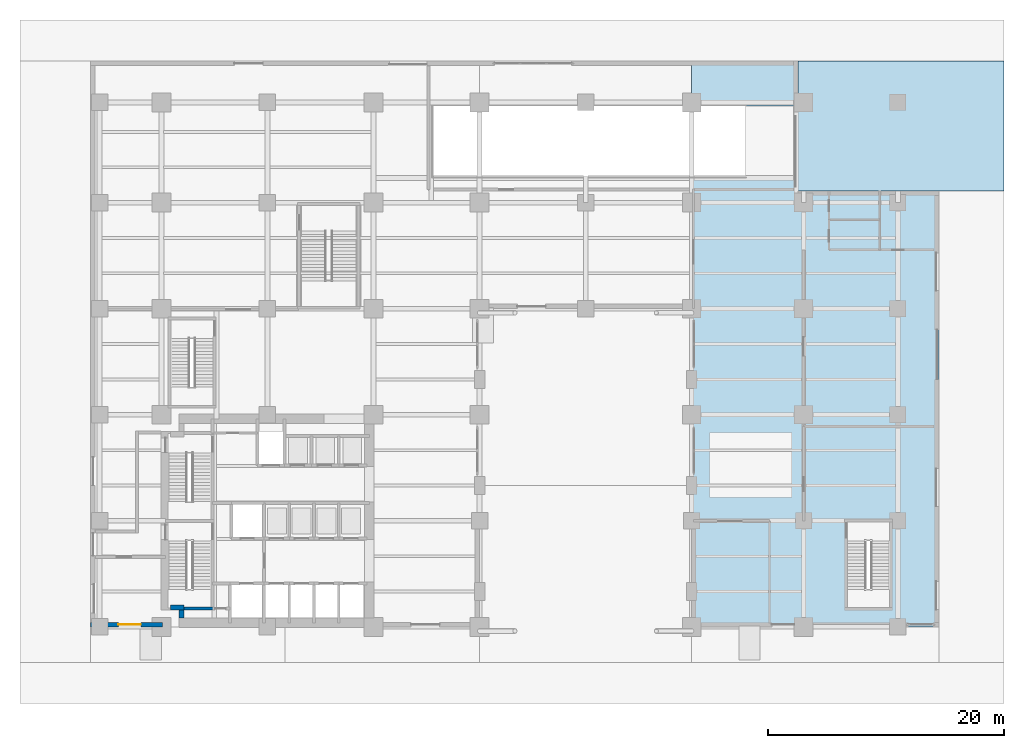
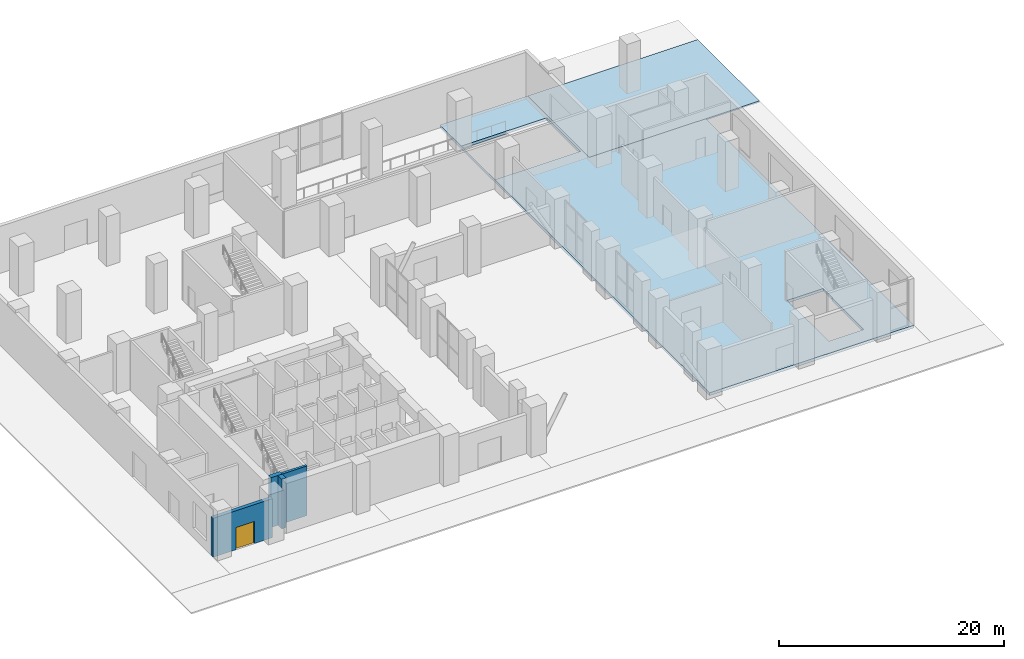
# One storey, part 10 of 17: 4 walls, 2 slabs, 1 door, 1 opening.
"""IFC4 building model written with IfcOpenShell, lengths in metres."""

from ifc_helpers import new_model, si_unit, direction, frame, frame_2d, origin, place, context, subcontext, project, spatial, polyline, rectangle, outline, extrude, material, layer, layer_set, type_object, element, fill, save


model = new_model("IFC4")

# Units and contexts
model_context = context("Model", 3, precision=1e-05, world=origin(), true_north=direction((0.0, 1.0)))
body_context = subcontext(model_context, "Body", "Model", "MODEL_VIEW")
ifc_project = project(units=[si_unit("LENGTHUNIT", "METRE"), si_unit("AREAUNIT", "SQUARE_METRE"), si_unit("VOLUMEUNIT", "CUBIC_METRE"), si_unit("PLANEANGLEUNIT", "RADIAN"), si_unit("MASSUNIT", "GRAM", prefix="KILO")], contexts=[model_context])

# Site, building, storey
site_placement = place(None, origin())
site = spatial("IfcSite", under=ifc_project, at=site_placement, CompositionType="ELEMENT")
building_placement = place(site_placement, origin())
building = spatial("IfcBuilding", under=site, at=building_placement, Name="Mawjdan Bourse Tower", CompositionType="ELEMENT")
storey_placement = place(building_placement, origin())
storey = spatial("IfcBuildingStorey", under=building, at=storey_placement, Name="L00", CompositionType="ELEMENT", Elevation=0.0)

# Slabs
ifc_material_1 = material(Name="Granite Stone Paving", Category="masonry")
ifc_layer_1 = layer(ifc_material_1, 0.14990234375)
ifc_layer_set_1 = layer_set([ifc_layer_1], Name="Granite Stone Paving")
slab_type_1 = type_object("IfcSlabType", Name="SL-PAV-150", PredefinedType="USERDEFINED", material=ifc_layer_set_1)
slab_1_placement = place(storey_placement, frame((0.0, 0.0, -0.14990234375)))
element("IfcSlab", 1, at=slab_1_placement, inside=storey, type_object=slab_type_1, Name="East Vehicle Ramp Driveway Apron Paving", ObjectType="PAVING", PredefinedType="USERDEFINED", context=body_context, shape_type="SweptSolid", body=[
    extrude(outline(polyline([(60.0, 40.0), (77.5, 40.0), (77.5, 51.0), (60.0, 51.0), (60.0, 40.0)])), origin(), (0.0, 0.0, 1.0), 0.14990234375),
])
ifc_material_2 = material(Name="Concrete C50/60", Category="concrete")
ifc_layer_2 = layer(ifc_material_2, 0.300048828125)
ifc_layer_set_2 = layer_set([ifc_layer_2], Name="Concrete C50/60")
slab_type_2 = type_object("IfcSlabType", Name="SL-POD-300", PredefinedType="FLOOR", material=ifc_layer_set_2)
slab_2_placement = place(storey_placement, frame((0.0, 0.0, -0.300048828125)))
element("IfcSlab", 2, at=slab_2_placement, inside=storey, type_object=slab_type_2, Name="L00 Structural Floor Slab 2", PredefinedType="FLOOR", context=body_context, shape_type="SweptSolid", body=[
    extrude(outline(polyline([(51.0, 3.0), (72.0, 3.0), (72.0, 40.0), (60.0, 40.0), (60.0, 51.0), (51.0, 51.0), (51.0, 3.0)]), holes=[polyline([(64.199951171875, 10.31005859375), (64.139892578125, 10.31005859375), (64.139892578125, 11.969970703125), (67.860107421875, 11.969970703125), (67.860107421875, 10.31005859375), (67.800048828125, 10.31005859375), (67.800048828125, 4.64990234375), (64.199951171875, 4.64990234375), (64.199951171875, 10.31005859375)]), polyline([(51.02001953125, 41.199951171875), (51.02001953125, 47.199951171875), (59.800048828125, 47.199951171875), (59.800048828125, 41.199951171875), (51.02001953125, 41.199951171875)])]), origin(), (0.0, 0.0, 1.0), 0.300048828125),
])

# Wall, opening, door
ifc_material_3 = material(Name="Brick Masonry Terracotta Red", Category="masonry")
ifc_layer_3 = layer(ifc_material_3, 0.3798828125)
ifc_layer_set_3 = layer_set([ifc_layer_3], Name="Brick Masonry Terracotta Red")
wall_type_1 = type_object("IfcWallType", Name="WL-BRK-RED-380", PredefinedType="STANDARD", material=ifc_layer_set_3)
wall_1_placement = place(storey_placement, frame((0.0, 3.18994140625, 0.0), z_axis=(0.0, 0.0, 1.0), x_axis=(1.0, 0.0, 0.0)))
wall_1 = element("IfcWall", 3, at=wall_1_placement, inside=storey, type_object=wall_type_1, Name="L00 Podium Brick Wall SW-1", PredefinedType="STANDARD", context=body_context, shape_type="SweptSolid", body=[
    extrude(rectangle(XDim=6.10009765625, YDim=0.3798828125, at=frame_2d((3.050048828125, 0.0))), origin(), (0.0, 0.0, 1.0), 4.23388671875),
])
opening_placement = place(wall_1_placement, frame((2.35009765625, 0.0, 0.0)))
opening = element("IfcOpeningElement", 4, at=opening_placement, cuts=wall_1, Name="Opening ED-L00-01", PredefinedType="OPENING", context=body_context, shape_type="SweptSolid", body=[
    extrude(rectangle(XDim=1.89990234375, YDim=2.39990234375, at=frame_2d((0.949951171875, 1.199951171875))), frame((0.0, 0.199951171875, 0.0), z_axis=(0.0, -1.0, 0.0), x_axis=(1.0, 0.0, 0.0)), (0.0, 0.0, 1.0), 0.39990234375),
])
ifc_material_4 = material(Name="Painted Galvanised Steel", Category="steel")
door_type = type_object("IfcDoorType", Name="DR-EXT-1900", OperationType="DOUBLE_DOOR_SINGLE_SWING", PredefinedType="DOOR", material=ifc_material_4)
door_placement = place(opening_placement, frame((1.89990234375, 0.0, 0.0), z_axis=(0.0, 0.0, 1.0), x_axis=(-1.0, 0.0, 0.0)))
door = element("IfcDoor", 5, at=door_placement, inside=storey, type_object=door_type, Name="L00 Fire Command Direct Discharge Door", OperationType="DOUBLE_DOOR_SINGLE_SWING", OverallHeight=2.39990234375, OverallWidth=1.89990234375, PredefinedType="DOOR", context=body_context, shape_type="SweptSolid", body=[
    extrude(rectangle(XDim=1.89990234375, YDim=2.39990234375, at=frame_2d((0.949951171875, 1.199951171875))), frame((0.0, 0.02490234375, 0.0), z_axis=(0.0, -1.0, 0.0), x_axis=(1.0, 0.0, 0.0)), (0.0, 0.0, 1.0), 0.050048828125),
])
fill(opening, door)

# Walls
ifc_material_5 = material(Name="Concrete C60/75", Category="concrete")
ifc_layer_4 = layer(ifc_material_5, 0.449951171875)
ifc_layer_set_4 = layer_set([ifc_layer_4], Name="Concrete C60/75")
wall_type_2 = type_object("IfcWallType", Name="WL-CORE-450", PredefinedType="SHEAR", material=ifc_layer_set_4)
wall_2_placement = place(storey_placement, frame((6.75, 4.64990234375, 0.0), z_axis=(0.0, 0.0, 1.0), x_axis=(1.0, 0.0, 0.0)))
element("IfcWall", 6, at=wall_2_placement, inside=storey, type_object=wall_type_2, Name="L00 Rear Core Shear Wall SW-X", PredefinedType="SHEAR", context=body_context, shape_type="SweptSolid", body=[
    extrude(rectangle(XDim=1.175048828125, YDim=0.449951171875, at=frame_2d((0.58740234375, 0.0))), origin(), (0.0, 0.0, 1.0), 5.39990234375),
])
wall_3_placement = place(storey_placement, frame((7.699951171875, 3.75, 0.0), z_axis=(0.0, 0.0, 1.0), x_axis=(0.0, 1.0, 0.0)))
element("IfcWall", 7, at=wall_3_placement, inside=storey, type_object=wall_type_2, Name="L00 Rear Core Shear Wall SW-Y", PredefinedType="SHEAR", context=body_context, shape_type="SweptSolid", body=[
    extrude(rectangle(XDim=0.675048828125, YDim=0.449951171875, at=frame_2d((0.33740234375, 0.0))), origin(), (0.0, 0.0, 1.0), 5.39990234375),
])
ifc_layer_5 = layer(ifc_material_2, 0.25)
ifc_layer_set_5 = layer_set([ifc_layer_5], Name="Concrete C50/60")
wall_type_3 = type_object("IfcWallType", Name="WL-STRW-250", PredefinedType="SHEAR", material=ifc_layer_set_5)
wall_4_placement = place(storey_placement, frame((7.699951171875, 4.550048828125, 0.0), z_axis=(0.0, 0.0, 1.0), x_axis=(1.0, 0.0, 0.0)))
element("IfcWall", 8, at=wall_4_placement, inside=storey, type_object=wall_type_3, Name="L00 Stairwell ST1 South Shaft Wall", PredefinedType="SHEAR", context=body_context, shape_type="SweptSolid", body=[
    extrude(rectangle(XDim=2.755126953125, YDim=0.25, at=frame_2d((1.37744140625, 0.0))), origin(), (0.0, 0.0, 1.0), 5.39990234375),
])

save(model, "model.ifc")
